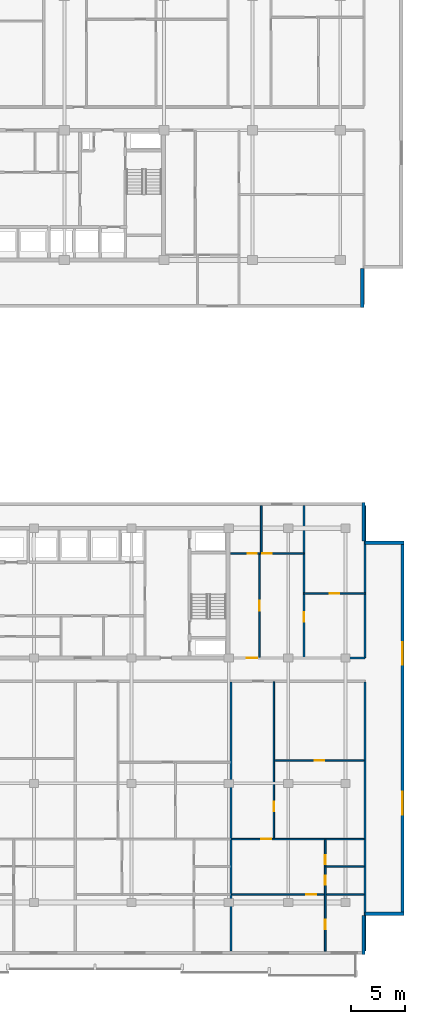
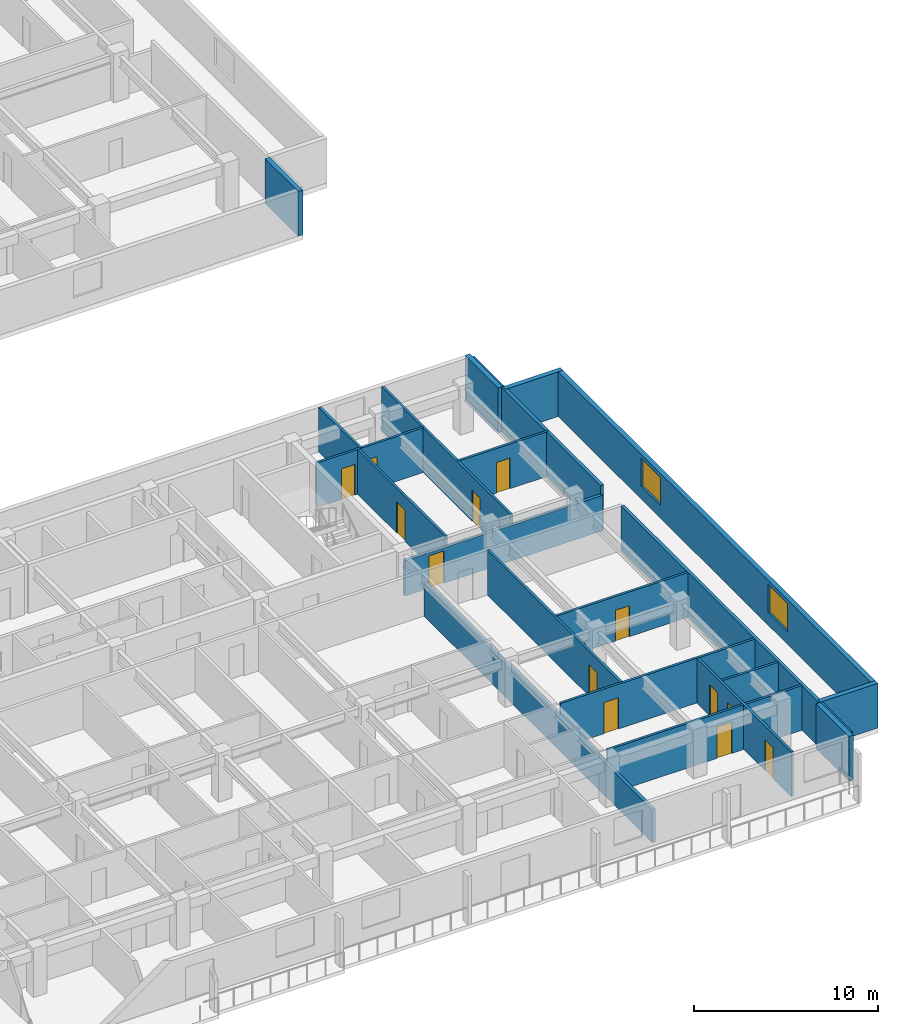
# One storey, part 10 of 22: 21 walls, 13 doors, 2 windows, 15 openings.
"""IFC4 building model written with IfcOpenShell, lengths in metres."""

import ifcopenshell
import ifcopenshell.guid

model = None  # the IFC model being written
_history = None  # IfcOwnerHistory: only IFC2X3 demands one
_inside = {}  # id of a spatial element -> (the spatial element, [elements in it])
_under = {}  # id of a project, library or spatial element -> (it, [spatial elements below it])
_declared = {}  # id of a project -> (the project, [libraries it declares])
_typed = {}  # id of a type object -> (the type object, [elements of that type])
_made_of = {}  # id of a material, layer set ... -> (it, [elements and type objects made of it])


def new_model(schema):
    """Start an empty IFC model of exactly this schema.

    Asked for "IFC4X3", IfcOpenShell would pick the latest addendum, in which some entities
    have other attributes; the version numbers below select the first issue.
    IFC2X3 requires an IfcOwnerHistory on every rooted entity: one is made here for all.
    """
    global model, _history
    if schema == "IFC4X3":
        model = ifcopenshell.file(schema_version=(4, 3, 0, 0))
    else:
        model = ifcopenshell.file(schema=schema)
    _inside.clear()
    _under.clear()
    _declared.clear()
    _typed.clear()
    _made_of.clear()
    _history = None
    if model.schema == "IFC2X3":
        org = make("IfcOrganization", Name="unknown")
        user = make(
            "IfcPersonAndOrganization",
            ThePerson=make("IfcPerson", FamilyName="unknown"),
            TheOrganization=org,
        )
        app = make(
            "IfcApplication",
            ApplicationDeveloper=org,
            Version="unknown",
            ApplicationFullName="unknown",
            ApplicationIdentifier="unknown",
        )
        _history = make(
            "IfcOwnerHistory",
            OwningUser=user,
            OwningApplication=app,
            ChangeAction="ADDED",
            CreationDate=0,
        )
    return model


def make(cls, **values):
    """One entity of the class cls with the attributes given. An attribute that is None is left unset."""
    return model.create_entity(
        cls, **{name: value for name, value in values.items() if value is not None}
    )


def rooted(cls, **values):
    """An entity with a GlobalId (a new one), such as an element, a storey or a relation."""
    return make(cls, GlobalId=ifcopenshell.guid.new(), OwnerHistory=_history, **values)


def si_unit(unit_type, name, prefix=None):
    """IfcSIUnit, for example si_unit("LENGTHUNIT", "METRE", prefix="MILLI")."""
    return make("IfcSIUnit", UnitType=unit_type, Prefix=prefix, Name=name)


def assignment(units):
    """IfcUnitAssignment: the units of a project."""
    return None if units is None else make("IfcUnitAssignment", Units=units)


def point(xyz):
    """IfcCartesianPoint."""
    return None if xyz is None else make("IfcCartesianPoint", Coordinates=xyz)


def direction(xyz):
    """IfcDirection."""
    return None if xyz is None else make("IfcDirection", DirectionRatios=xyz)


def frame(location, z_axis=None, x_axis=None):
    """IfcAxis2Placement3D, a coordinate frame: its origin and axes. An axis left out is left unset."""
    return make(
        "IfcAxis2Placement3D",
        Location=point(location),
        Axis=direction(z_axis),
        RefDirection=direction(x_axis),
    )


def frame_2d(location, x_axis=None):
    """IfcAxis2Placement2D, a coordinate frame in the plane: its origin and x axis."""
    return make(
        "IfcAxis2Placement2D", Location=point(location), RefDirection=direction(x_axis)
    )


def origin():
    """The frame at (0, 0, 0) with its axes left unset."""
    return frame((0.0, 0.0, 0.0))


def place(relative_to, where):
    """IfcLocalPlacement: puts the frame where relative to a parent placement (None: the world)."""
    return make(
        "IfcLocalPlacement", PlacementRelTo=relative_to, RelativePlacement=where
    )


def context(
    kind, dimensions, precision=None, world=None, true_north=None, identifier=None
):
    """IfcGeometricRepresentationContext, for example the 3D "Model" context."""
    return make(
        "IfcGeometricRepresentationContext",
        ContextIdentifier=identifier,
        ContextType=kind,
        CoordinateSpaceDimension=dimensions,
        Precision=precision,
        WorldCoordinateSystem=world,
        TrueNorth=true_north,
    )


def subcontext(parent, identifier, kind, view, scale=None):
    """IfcGeometricRepresentationSubContext, for example "Body" below "Model"."""
    return make(
        "IfcGeometricRepresentationSubContext",
        ContextIdentifier=identifier,
        ContextType=kind,
        ParentContext=parent,
        TargetScale=scale,
        TargetView=view,
    )


def project(units=None, contexts=None):
    """IfcProject with its units and contexts."""
    return rooted(
        "IfcProject",
        Name="project",
        RepresentationContexts=contexts,
        UnitsInContext=assignment(units),
    )


def spatial(cls, under=None, at=None, **own):
    """A site, building, storey or space (cls), placed at a placement, below another one or the project."""
    s = rooted(cls, ObjectPlacement=at, **own)
    if under is not None:
        _under.setdefault(under.id(), (under, []))[1].append(s)
    return s


def profile(cls, at=None, kind="AREA", **sizes):
    """A parametric profile (cls). Its sizes go by their IFC names, for example OverallWidth=200.0."""
    return make(cls, ProfileType=kind, Position=at, **sizes)


def rectangle(**sizes):
    """IfcRectangleProfileDef."""
    return profile("IfcRectangleProfileDef", **sizes)


def extrude(swept, where, along, depth):
    """IfcExtrudedAreaSolid: the profile swept, set in the frame where, extruded along a direction by depth."""
    return make(
        "IfcExtrudedAreaSolid",
        SweptArea=swept,
        Position=where,
        ExtrudedDirection=direction(along),
        Depth=depth,
    )


def shape(context_of_items, identifier, shape_type, items):
    """IfcShapeRepresentation: the items that make up one representation, for example the "Body"."""
    return make(
        "IfcShapeRepresentation",
        ContextOfItems=context_of_items,
        RepresentationIdentifier=identifier,
        RepresentationType=shape_type,
        Items=items,
    )


def material(Name=None, Category=None):
    """IfcMaterial."""
    return make("IfcMaterial", Name=Name, Category=Category)


def layer(
    of_material, thickness, ventilated=None, Name=None, Category=None, Priority=None
):
    """IfcMaterialLayer: one layer of a wall or slab, of a material (None: an air gap)."""
    return make(
        "IfcMaterialLayer",
        Material=of_material,
        LayerThickness=thickness,
        IsVentilated=ventilated,
        Name=Name,
        Category=Category,
        Priority=Priority,
    )


def layer_set(layers, Name=None):
    """IfcMaterialLayerSet."""
    return make("IfcMaterialLayerSet", MaterialLayers=layers, LayerSetName=Name)


def made_of(thing, what):
    """Note that an element or type object is made of a material, layer set ...; save() writes the relation."""
    if what is not None:
        _made_of.setdefault(what.id(), (what, []))[1].append(thing)
    return thing


def type_object(cls, material=None, **own):
    """A type object (cls), such as IfcWallType, which elements share."""
    return made_of(rooted(cls, **own), material)


def element(
    cls,
    number,
    at=None,
    inside=None,
    cuts=None,
    type_object=None,
    material=None,
    context=None,
    identifier="Body",
    shape_type=None,
    held_by="IfcProductDefinitionShape",
    body=None,
    shapes=None,
    **own,
):
    """One element of the class cls, such as IfcWall. Its Tag is "e" and its number.

    at: its placement. inside: the storey or other place that contains it. cuts: it is an
    opening in that element (IfcRelVoidsElement). A single representation is given by context,
    identifier, shape_type and body (its items); several are given by shapes. held_by: the class
    of the entity that holds the representations. save() writes the other relations.
    """
    e = rooted(cls, Tag="e%d" % number, ObjectPlacement=at, **own)
    if body is not None:
        shapes = [shape(context, identifier, shape_type, body)]
    if shapes is not None:
        e.Representation = make(held_by, Representations=shapes)
    if inside is not None:
        _inside.setdefault(inside.id(), (inside, []))[1].append(e)
    if cuts is not None:
        rooted(
            "IfcRelVoidsElement", RelatingBuildingElement=cuts, RelatedOpeningElement=e
        )
    if type_object is not None:
        _typed.setdefault(type_object.id(), (type_object, []))[1].append(e)
    return made_of(e, material)


def fill(opening, filler):
    """IfcRelFillsElement: the door or window that sits in an opening."""
    return rooted(
        "IfcRelFillsElement",
        RelatingOpeningElement=opening,
        RelatedBuildingElement=filler,
    )


def aggregate(whole, parts):
    """IfcRelAggregates: a whole, such as a stair, and the parts it consists of."""
    return rooted("IfcRelAggregates", RelatingObject=whole, RelatedObjects=parts)


def save(model, path):
    """Write the relations noted so far, then the file.

    IfcRelAggregates (storeys below a building ...), IfcRelContainedInSpatialStructure (elements
    in a storey), IfcRelDefinesByType, IfcRelAssociatesMaterial and IfcRelDeclares: one each for
    every whole, place, type object, material and project.
    """
    for whole, parts in _under.values():
        aggregate(whole, parts)
    for where, things in _inside.values():
        rooted(
            "IfcRelContainedInSpatialStructure",
            RelatedElements=things,
            RelatingStructure=where,
        )
    for kind, things in _typed.values():
        rooted("IfcRelDefinesByType", RelatedObjects=things, RelatingType=kind)
    for what, things in _made_of.values():
        rooted("IfcRelAssociatesMaterial", RelatedObjects=things, RelatingMaterial=what)
    for by, libraries in _declared.values():
        rooted("IfcRelDeclares", RelatingContext=by, RelatedDefinitions=libraries)
    model.write(path)


model = new_model("IFC4")

# Units and contexts
model_context = context("Model", 3, precision=1e-05, world=origin(), true_north=direction((0.0, 1.0)))
body_context = subcontext(model_context, "Body", "Model", "MODEL_VIEW")
ifc_project = project(units=[si_unit("LENGTHUNIT", "METRE"), si_unit("AREAUNIT", "SQUARE_METRE"), si_unit("VOLUMEUNIT", "CUBIC_METRE"), si_unit("PLANEANGLEUNIT", "RADIAN"), si_unit("MASSUNIT", "GRAM", prefix="KILO")], contexts=[model_context])

# Site, building, storey
site_placement = place(None, origin())
site = spatial("IfcSite", under=ifc_project, at=site_placement, CompositionType="ELEMENT")
building_placement = place(site_placement, origin())
building = spatial("IfcBuilding", under=site, at=building_placement, Name="Korimba Cascade Residences", CompositionType="ELEMENT")
storey_placement = place(building_placement, frame((0.0, 0.0, 80.800048828125)))
storey = spatial("IfcBuildingStorey", under=building, at=storey_placement, Name="L22", CompositionType="ELEMENT", Elevation=80.800048828125)

# Walls
ifc_material_1 = material(Name="Precast concrete C40/50", Category="concrete")
ifc_layer_1 = layer(ifc_material_1, 0.300048828125)
ifc_layer_set_1 = layer_set([ifc_layer_1], Name="Precast concrete C40/50")
wall_type_1 = type_object("IfcWallType", Name="EW-STONE-300", PredefinedType="STANDARD", material=ifc_layer_set_1)
wall_1_placement = place(storey_placement, frame((130.449951171875, 50.800048828125, 0.0), z_axis=(0.0, 0.0, 1.0), x_axis=(0.0, 1.0, 0.0)))
element("IfcWall", 1, at=wall_1_placement, inside=storey, type_object=wall_type_1, Name="L22 T1 Perimeter Stone Wall E01", PredefinedType="STANDARD", context=body_context, shape_type="SweptSolid", body=[
    extrude(rectangle(XDim=3.599853515625, YDim=0.300048828125, at=frame_2d((1.7998046875, 0.0))), origin(), (0.0, 0.0, 1.0), 2.969970703125),
])
for number, where, z_axis, x_axis, name in (
    (2, (130.550048828125, -9.0, 0.0), (0.0, 0.0, 1.0), (0.0, 1.0, 0.0), "L22 T2 Perimeter Stone Wall E01"),
    (3, (130.699951171875, -5.25, 0.0), (0.0, 0.0, 1.0), (1.0, 0.0, 0.0), "L22 T2 Perimeter Stone Wall E02"),
):
    element("IfcWall", number, at=place(storey_placement, frame(where, z_axis=z_axis, x_axis=x_axis)), inside=storey, type_object=wall_type_1, Name=name, PredefinedType="STANDARD", context=body_context, shape_type="SweptSolid", body=[
        extrude(rectangle(XDim=3.60009765625, YDim=0.300048828125, at=frame_2d((1.800048828125, 0.0))), origin(), (0.0, 0.0, 1.0), 2.969970703125),
    ])

# Wall, openings, windows
wall_2_placement = place(storey_placement, frame((134.14990234375, -5.39990234375, 0.0), z_axis=(0.0, 0.0, 1.0), x_axis=(0.0, 1.0, 0.0)))
wall_2 = element("IfcWall", 4, at=wall_2_placement, inside=storey, type_object=wall_type_1, Name="L22 T2 Perimeter Stone Wall E03", PredefinedType="STANDARD", context=body_context, shape_type="SweptSolid", body=[
    extrude(rectangle(XDim=34.599853515625, YDim=0.300048828125, at=frame_2d((17.2998046875, 0.0))), origin(), (0.0, 0.0, 1.0), 2.969970703125),
])
opening_1_placement = place(wall_2_placement, frame((9.330078125, 0.0, 0.85009765625)))
opening_1 = element("IfcOpeningElement", 5, at=opening_1_placement, cuts=wall_2, Name="Opening W-03", PredefinedType="OPENING", context=body_context, shape_type="SweptSolid", body=[
    extrude(rectangle(XDim=2.10009765625, YDim=1.85009765625, at=frame_2d((1.050048828125, 0.925048828125))), frame((0.0, 0.16015625, 0.0), z_axis=(0.0, -1.0, 0.0), x_axis=(1.0, 0.0, 0.0)), (0.0, 0.0, 1.0), 0.320068359375),
])
opening_2_placement = place(wall_2_placement, frame((23.169921875, 0.0, 0.85009765625)))
opening_2 = element("IfcOpeningElement", 6, at=opening_2_placement, cuts=wall_2, Name="Opening W-03", PredefinedType="OPENING", context=body_context, shape_type="SweptSolid", body=[
    extrude(rectangle(XDim=2.10009765625, YDim=1.85009765625, at=frame_2d((1.050048828125, 0.925048828125))), frame((0.0, 0.16015625, 0.0), z_axis=(0.0, -1.0, 0.0), x_axis=(1.0, 0.0, 0.0)), (0.0, 0.0, 1.0), 0.320068359375),
])
ifc_material_2 = material(Name="Double-Glazed Aluminium Window", Category="aluminium")
window_type = type_object("IfcWindowType", Name="WIN-CRN-2100", PartitioningType="DOUBLE_PANEL_HORIZONTAL", PredefinedType="WINDOW", material=ifc_material_2)
window_1_placement = place(opening_1_placement, origin())
window_1 = element("IfcWindow", 7, at=window_1_placement, inside=storey, type_object=window_type, Name="L22 T2 End View Window 3.1", OverallHeight=1.85009765625, OverallWidth=2.10009765625, PartitioningType="DOUBLE_PANEL_HORIZONTAL", PredefinedType="WINDOW", context=body_context, shape_type="SweptSolid", body=[
    extrude(rectangle(XDim=2.10009765625, YDim=1.85009765625, at=frame_2d((1.050048828125, 0.925048828125))), frame((0.0, 0.030029296875, 0.0), z_axis=(0.0, -1.0, 0.0), x_axis=(1.0, 0.0, 0.0)), (0.0, 0.0, 1.0), 0.06005859375),
])
fill(opening_1, window_1)
window_2_placement = place(opening_2_placement, origin())
window_2 = element("IfcWindow", 8, at=window_2_placement, inside=storey, type_object=window_type, Name="L22 T2 End View Window 3.2", OverallHeight=1.85009765625, OverallWidth=2.10009765625, PartitioningType="DOUBLE_PANEL_HORIZONTAL", PredefinedType="WINDOW", context=body_context, shape_type="SweptSolid", body=[
    extrude(rectangle(XDim=2.10009765625, YDim=1.85009765625, at=frame_2d((1.050048828125, 0.925048828125))), frame((0.0, 0.030029296875, 0.0), z_axis=(0.0, -1.0, 0.0), x_axis=(1.0, 0.0, 0.0)), (0.0, 0.0, 1.0), 0.06005859375),
])
fill(opening_2, window_2)

# Walls
for number, where, z_axis, x_axis, name in (
    (9, (134.300048828125, 29.050048828125, 0.0), (0.0, 0.0, 1.0), (-1.0, 0.0, 0.0), "L22 T2 Perimeter Stone Wall E04"),
    (10, (130.550048828125, 29.199951171875, 0.0), (0.0, 0.0, 1.0), (0.0, 1.0, 0.0), "L22 T2 Perimeter Stone Wall E05"),
):
    element("IfcWall", number, at=place(storey_placement, frame(where, z_axis=z_axis, x_axis=x_axis)), inside=storey, type_object=wall_type_1, Name=name, PredefinedType="STANDARD", context=body_context, shape_type="SweptSolid", body=[
        extrude(rectangle(XDim=3.60009765625, YDim=0.300048828125, at=frame_2d((1.800048828125, 0.0))), origin(), (0.0, 0.0, 1.0), 2.969970703125),
    ])
ifc_layer_2 = layer(ifc_material_1, 0.199951171875)
ifc_layer_set_2 = layer_set([ifc_layer_2], Name="Precast concrete C40/50")
wall_type_2 = type_object("IfcWallType", Name="WAL-IT-200", PredefinedType="PARTITIONING", material=ifc_layer_set_2)
wall_3_placement = place(storey_placement, frame((130.699951171875, 18.39990234375, 0.0), z_axis=(0.0, 0.0, 1.0), x_axis=(0.0, 1.0, 0.0)))
element("IfcWall", 11, at=wall_3_placement, inside=storey, type_object=wall_type_2, Name="L22 Partition Wall WAL-L22-T2-FE-WR", PredefinedType="PARTITIONING", context=body_context, shape_type="SweptSolid", body=[
    extrude(rectangle(XDim=14.10009765625, YDim=0.199951171875, at=frame_2d((7.050048828125, 0.0))), origin(), (0.0, 0.0, 1.0), 2.969970703125),
])

# Wall, opening, door
wall_4_placement = place(storey_placement, frame((118.25, 18.39990234375, 0.0), z_axis=(0.0, 0.0, 1.0), x_axis=(1.0, 0.0, 0.0)))
wall_4 = element("IfcWall", 12, at=wall_4_placement, inside=storey, type_object=wall_type_2, Name="L22 Partition Wall WAL-L22-T2-FE-S", PredefinedType="PARTITIONING", context=body_context, shape_type="SweptSolid", body=[
    extrude(rectangle(XDim=12.449951171875, YDim=0.199951171875, at=frame_2d((6.22509765625, 0.0))), origin(), (0.0, 0.0, 1.0), 2.357666015625),
])
opening_3_placement = place(wall_4_placement, frame((1.510009765625, 0.0, 0.0)))
opening_3 = element("IfcOpeningElement", 13, at=opening_3_placement, cuts=wall_4, Name="Opening D-UN1", PredefinedType="OPENING", context=body_context, shape_type="SweptSolid", body=[
    extrude(rectangle(XDim=0.949951171875, YDim=2.14990234375, at=frame_2d((0.47509765625, 1.074951171875))), frame((0.0, 0.10986328125, 0.0), z_axis=(0.0, -1.0, 0.0), x_axis=(1.0, 0.0, 0.0)), (0.0, 0.0, 1.0), 0.219970703125),
])
ifc_material_3 = material(Name="Fire-Rated Hardwood Apartment Entrance Door", Category="wood")
door_type_1 = type_object("IfcDoorType", Name="DR-FD60-950", OperationType="NOTDEFINED", PredefinedType="DOOR", material=ifc_material_3)
door_1_placement = place(opening_3_placement, origin())
door_1 = element("IfcDoor", 14, at=door_1_placement, inside=storey, type_object=door_type_1, Name="L22-T2-FE Entrance Door", OperationType="SINGLE_SWING_LEFT", OverallHeight=2.14990234375, OverallWidth=0.949951171875, PredefinedType="DOOR", context=body_context, shape_type="SweptSolid", body=[
    extrude(rectangle(XDim=0.949951171875, YDim=2.14990234375, at=frame_2d((0.47509765625, 1.074951171875))), frame((0.0, 0.02490234375, 0.0), z_axis=(0.0, -1.0, 0.0), x_axis=(1.0, 0.0, 0.0)), (0.0, 0.0, 1.0), 0.050048828125),
])
fill(opening_3, door_1)

# Walls
wall_5_placement = place(storey_placement, frame((130.699951171875, -8.699951171875, 0.0), z_axis=(0.0, 0.0, 1.0), x_axis=(0.0, 1.0, 0.0)))
element("IfcWall", 15, at=wall_5_placement, inside=storey, type_object=wall_type_2, Name="L22 Partition Wall WAL-L22-T2-BNDWR", PredefinedType="PARTITIONING", context=body_context, shape_type="SweptSolid", body=[
    extrude(rectangle(XDim=24.869873046875, YDim=0.199951171875, at=frame_2d((12.43505859375, 0.0))), origin(), (0.0, 0.0, 1.0), 2.969970703125),
])
wall_6_placement = place(storey_placement, frame((118.300048828125, -8.699951171875, 0.0), z_axis=(0.0, 0.0, 1.0), x_axis=(0.0, 1.0, 0.0)))
element("IfcWall", 16, at=wall_6_placement, inside=storey, type_object=wall_type_2, Name="L22 Partition Wall WAL-L22-T2-DEM-3", PredefinedType="PARTITIONING", context=body_context, shape_type="SweptSolid", body=[
    extrude(rectangle(XDim=24.869873046875, YDim=0.199951171875, at=frame_2d((12.43505859375, 0.0))), origin(), (0.0, 0.0, 1.0), 2.2001953125),
])

# Wall, opening, door
ifc_material_4 = material(Name="Insulated Acoustic Stud Partition", Category="gypsum")
ifc_layer_3 = layer(ifc_material_4, 0.14990234375)
ifc_layer_set_3 = layer_set([ifc_layer_3], Name="Insulated Acoustic Stud Partition")
wall_type_3 = type_object("IfcWallType", Name="WAL-PART-150", PredefinedType="PARTITIONING", material=ifc_layer_set_3)
wall_7_placement = place(storey_placement, frame((125.050048828125, 24.35009765625, 0.0), z_axis=(0.0, 0.0, 1.0), x_axis=(1.0, 0.0, 0.0)))
wall_7 = element("IfcWall", 17, at=wall_7_placement, inside=storey, type_object=wall_type_3, Name="L22 Partition Wall WAL-L22-T2-FE-STH", PredefinedType="PARTITIONING", context=body_context, shape_type="SweptSolid", body=[
    extrude(rectangle(XDim=5.64990234375, YDim=0.14990234375, at=frame_2d((2.824951171875, 0.0))), origin(), (0.0, 0.0, 1.0), 2.969970703125),
])
opening_4_placement = place(wall_7_placement, frame((2.405029296875, 0.0, 0.0)))
opening_4 = element("IfcOpeningElement", 18, at=opening_4_placement, cuts=wall_7, Name="Opening D-BT1", PredefinedType="OPENING", context=body_context, shape_type="SweptSolid", body=[
    extrude(rectangle(XDim=0.840087890625, YDim=2.0400390625, at=frame_2d((0.419921875, 1.02001953125))), frame((0.0, 0.0849609375, 0.0), z_axis=(0.0, -1.0, 0.0), x_axis=(1.0, 0.0, 0.0)), (0.0, 0.0, 1.0), 0.169921875),
])
ifc_material_5 = material(Name="Moisture-Resistant Bathroom Timber Door", Category="wood")
door_type_2 = type_object("IfcDoorType", Name="DR-INT-850", OperationType="NOTDEFINED", PredefinedType="DOOR", material=ifc_material_5)
door_2_placement = place(opening_4_placement, origin())
door_2 = element("IfcDoor", 19, at=door_2_placement, inside=storey, type_object=door_type_2, Name="L22-T2-FE Dressing Store Door", OperationType="SINGLE_SWING_RIGHT", OverallHeight=2.0400390625, OverallWidth=0.840087890625, PredefinedType="DOOR", context=body_context, shape_type="SweptSolid", body=[
    extrude(rectangle(XDim=0.840087890625, YDim=2.0400390625, at=frame_2d((0.419921875, 1.02001953125))), frame((0.0, 0.02490234375, 0.0), z_axis=(0.0, -1.0, 0.0), x_axis=(1.0, 0.0, 0.0)), (0.0, 0.0, 1.0), 0.050048828125),
])
fill(opening_4, door_2)

wall_8_placement = place(storey_placement, frame((125.050048828125, 18.449951171875, 0.0), z_axis=(0.0, 0.0, 1.0), x_axis=(0.0, 1.0, 0.0)))
wall_8 = element("IfcWall", 20, at=wall_8_placement, inside=storey, type_object=wall_type_3, Name="L22 Partition Wall WAL-L22-T2-FE-STV", PredefinedType="PARTITIONING", context=body_context, shape_type="SweptSolid", body=[
    extrude(rectangle(XDim=14.050048828125, YDim=0.14990234375, at=frame_2d((7.02490234375, 0.0))), origin(), (0.0, 0.0, 1.0), 2.969970703125),
])
opening_5_placement = place(wall_8_placement, frame((3.320068359375, 0.0, 0.0)))
opening_5 = element("IfcOpeningElement", 21, at=opening_5_placement, cuts=wall_8, Name="Opening D-IN2", PredefinedType="OPENING", context=body_context, shape_type="SweptSolid", body=[
    extrude(rectangle(XDim=0.8798828125, YDim=2.06005859375, at=frame_2d((0.43994140625, 1.030029296875))), frame((0.0, 0.0849609375, 0.0), z_axis=(0.0, -1.0, 0.0), x_axis=(1.0, 0.0, 0.0)), (0.0, 0.0, 1.0), 0.169921875),
])
ifc_material_6 = material(Name="Acoustic Timber Bedroom Door", Category="wood")
door_type_3 = type_object("IfcDoorType", Name="DR-INT-880", OperationType="NOTDEFINED", PredefinedType="DOOR", material=ifc_material_6)
door_3_placement = place(opening_5_placement, origin())
door_3 = element("IfcDoor", 22, at=door_3_placement, inside=storey, type_object=door_type_3, Name="L22-T2-FE Study Door", OperationType="SINGLE_SWING_LEFT", OverallHeight=2.06005859375, OverallWidth=0.8798828125, PredefinedType="DOOR", context=body_context, shape_type="SweptSolid", body=[
    extrude(rectangle(XDim=0.8798828125, YDim=2.06005859375, at=frame_2d((0.43994140625, 1.030029296875))), frame((0.0, 0.02490234375, 0.0), z_axis=(0.0, -1.0, 0.0), x_axis=(1.0, 0.0, 0.0)), (0.0, 0.0, 1.0), 0.050048828125),
])
fill(opening_5, door_3)

wall_9_placement = place(storey_placement, frame((120.929931640625, 18.449951171875, 0.0), z_axis=(0.0, 0.0, 1.0), x_axis=(0.0, 1.0, 0.0)))
wall_9 = element("IfcWall", 23, at=wall_9_placement, inside=storey, type_object=wall_type_3, Name="L22 Partition Wall WAL-L22-T2-FE-VS", PredefinedType="PARTITIONING", context=body_context, shape_type="SweptSolid", body=[
    extrude(rectangle(XDim=9.60009765625, YDim=0.14990234375, at=frame_2d((4.800048828125, 0.0))), origin(), (0.0, 0.0, 1.0), 2.969970703125),
])
opening_6_placement = place(wall_9_placement, frame((4.340087890625, 0.0, 0.0)))
opening_6 = element("IfcOpeningElement", 24, at=opening_6_placement, cuts=wall_9, Name="Opening D-IN1", PredefinedType="OPENING", context=body_context, shape_type="SweptSolid", body=[
    extrude(rectangle(XDim=0.919921875, YDim=2.080078125, at=frame_2d((0.4599609375, 1.0400390625))), frame((0.0, 0.0849609375, 0.0), z_axis=(0.0, -1.0, 0.0), x_axis=(1.0, 0.0, 0.0)), (0.0, 0.0, 1.0), 0.169921875),
])
ifc_material_7 = material(Name="Acoustic Timber Living Door", Category="wood")
door_type_4 = type_object("IfcDoorType", Name="DR-INT-920", OperationType="NOTDEFINED", PredefinedType="DOOR", material=ifc_material_7)
door_4_placement = place(opening_6_placement, origin())
door_4 = element("IfcDoor", 25, at=door_4_placement, inside=storey, type_object=door_type_4, Name="L22-T2-FE Living Door", OperationType="SINGLE_SWING_RIGHT", OverallHeight=2.080078125, OverallWidth=0.919921875, PredefinedType="DOOR", context=body_context, shape_type="SweptSolid", body=[
    extrude(rectangle(XDim=0.919921875, YDim=2.080078125, at=frame_2d((0.4599609375, 1.0400390625))), frame((0.0, 0.02490234375, 0.0), z_axis=(0.0, -1.0, 0.0), x_axis=(1.0, 0.0, 0.0)), (0.0, 0.0, 1.0), 0.050048828125),
])
fill(opening_6, door_4)

# Wall
wall_10_placement = place(storey_placement, frame((121.10009765625, 28.050048828125, 0.0), z_axis=(0.0, 0.0, 1.0), x_axis=(0.0, 1.0, 0.0)))
element("IfcWall", 26, at=wall_10_placement, inside=storey, type_object=wall_type_3, Name="L22 Partition Wall WAL-L22-T2-FE-VN", PredefinedType="PARTITIONING", context=body_context, shape_type="SweptSolid", body=[
    extrude(rectangle(XDim=4.449951171875, YDim=0.14990234375, at=frame_2d((2.22509765625, 0.0))), origin(), (0.0, 0.0, 1.0), 2.969970703125),
])

# Wall, openings, doors
wall_11_placement = place(storey_placement, frame((118.27001953125, 28.050048828125, 0.0), z_axis=(0.0, 0.0, 1.0), x_axis=(1.0, 0.0, 0.0)))
wall_11 = element("IfcWall", 27, at=wall_11_placement, inside=storey, type_object=wall_type_3, Name="L22 Partition Wall WAL-L22-T2-FE-H", PredefinedType="PARTITIONING", context=body_context, shape_type="SweptSolid", body=[
    extrude(rectangle(XDim=6.760009765625, YDim=0.14990234375, at=frame_2d((3.3798828125, 0.0))), origin(), (0.0, 0.0, 1.0), 2.969970703125),
])
opening_7_placement = place(wall_11_placement, frame((1.58740234375, 0.0, 0.0)))
opening_7 = element("IfcOpeningElement", 28, at=opening_7_placement, cuts=wall_11, Name="Opening D-BT1", PredefinedType="OPENING", context=body_context, shape_type="SweptSolid", body=[
    extrude(rectangle(XDim=0.840087890625, YDim=2.0400390625, at=frame_2d((0.419921875, 1.02001953125))), frame((0.0, 0.0849609375, 0.0), z_axis=(0.0, -1.0, 0.0), x_axis=(1.0, 0.0, 0.0)), (0.0, 0.0, 1.0), 0.169921875),
])
opening_8_placement = place(wall_11_placement, frame((2.93994140625, 0.0, 0.0)))
opening_8 = element("IfcOpeningElement", 29, at=opening_8_placement, cuts=wall_11, Name="Opening D-IN2", PredefinedType="OPENING", context=body_context, shape_type="SweptSolid", body=[
    extrude(rectangle(XDim=0.8798828125, YDim=2.06005859375, at=frame_2d((0.43994140625, 1.030029296875))), frame((0.0, 0.0849609375, 0.0), z_axis=(0.0, -1.0, 0.0), x_axis=(1.0, 0.0, 0.0)), (0.0, 0.0, 1.0), 0.169921875),
])
door_5_placement = place(opening_7_placement, origin())
door_5 = element("IfcDoor", 30, at=door_5_placement, inside=storey, type_object=door_type_2, Name="L22-T2-FE Bathroom Door", OperationType="SINGLE_SWING_LEFT", OverallHeight=2.0400390625, OverallWidth=0.840087890625, PredefinedType="DOOR", context=body_context, shape_type="SweptSolid", body=[
    extrude(rectangle(XDim=0.840087890625, YDim=2.0400390625, at=frame_2d((0.419921875, 1.02001953125))), frame((0.0, 0.02490234375, 0.0), z_axis=(0.0, -1.0, 0.0), x_axis=(1.0, 0.0, 0.0)), (0.0, 0.0, 1.0), 0.050048828125),
])
fill(opening_7, door_5)
door_6_placement = place(opening_8_placement, origin())
door_6 = element("IfcDoor", 31, at=door_6_placement, inside=storey, type_object=door_type_3, Name="L22-T2-FE Bedroom Door", OperationType="SINGLE_SWING_RIGHT", OverallHeight=2.06005859375, OverallWidth=0.8798828125, PredefinedType="DOOR", context=body_context, shape_type="SweptSolid", body=[
    extrude(rectangle(XDim=0.8798828125, YDim=2.06005859375, at=frame_2d((0.43994140625, 1.030029296875))), frame((0.0, 0.02490234375, 0.0), z_axis=(0.0, -1.0, 0.0), x_axis=(1.0, 0.0, 0.0)), (0.0, 0.0, 1.0), 0.050048828125),
])
fill(opening_8, door_6)

# Wall, opening, door
wall_12_placement = place(storey_placement, frame((122.330078125, 8.93994140625, 0.0), z_axis=(0.0, 0.0, 1.0), x_axis=(1.0, 0.0, 0.0)))
wall_12 = element("IfcWall", 32, at=wall_12_placement, inside=storey, type_object=wall_type_3, Name="L22 Partition Wall WAL-L22-T2-U04-FMH", PredefinedType="PARTITIONING", context=body_context, shape_type="SweptSolid", body=[
    extrude(rectangle(XDim=8.2900390625, YDim=0.14990234375, at=frame_2d((4.14501953125, 0.0))), origin(), (0.0, 0.0, 1.0), 2.969970703125),
])
opening_9_placement = place(wall_12_placement, frame((3.705078125, 0.0, 0.0)))
opening_9 = element("IfcOpeningElement", 33, at=opening_9_placement, cuts=wall_12, Name="Opening D-IN2", PredefinedType="OPENING", context=body_context, shape_type="SweptSolid", body=[
    extrude(rectangle(XDim=0.8798828125, YDim=2.06005859375, at=frame_2d((0.43994140625, 1.030029296875))), frame((0.0, 0.0849609375, 0.0), z_axis=(0.0, -1.0, 0.0), x_axis=(1.0, 0.0, 0.0)), (0.0, 0.0, 1.0), 0.169921875),
])
door_7_placement = place(opening_9_placement, origin())
door_7 = element("IfcDoor", 34, at=door_7_placement, inside=storey, type_object=door_type_3, Name="L22-T2-U04 Library Salon Door", OperationType="SINGLE_SWING_RIGHT", OverallHeight=2.06005859375, OverallWidth=0.8798828125, PredefinedType="DOOR", context=body_context, shape_type="SweptSolid", body=[
    extrude(rectangle(XDim=0.8798828125, YDim=2.06005859375, at=frame_2d((0.43994140625, 1.030029296875))), frame((0.0, 0.02490234375, 0.0), z_axis=(0.0, -1.0, 0.0), x_axis=(1.0, 0.0, 0.0)), (0.0, 0.0, 1.0), 0.050048828125),
])
fill(opening_9, door_7)

wall_13_placement = place(storey_placement, frame((122.27001953125, 1.68994140625, 0.0), z_axis=(0.0, 0.0, 1.0), x_axis=(0.0, 1.0, 0.0)))
wall_13 = element("IfcWall", 35, at=wall_13_placement, inside=storey, type_object=wall_type_3, Name="L22 Partition Wall WAL-L22-T2-U04-FV", PredefinedType="PARTITIONING", context=body_context, shape_type="SweptSolid", body=[
    extrude(rectangle(XDim=14.5, YDim=0.14990234375, at=frame_2d((7.25, 0.0))), origin(), (0.0, 0.0, 1.0), 2.969970703125),
])
opening_10_placement = place(wall_13_placement, frame((2.54248046875, 0.0, 0.0)))
opening_10 = element("IfcOpeningElement", 36, at=opening_10_placement, cuts=wall_13, Name="Opening D-IN2", PredefinedType="OPENING", context=body_context, shape_type="SweptSolid", body=[
    extrude(rectangle(XDim=0.8798828125, YDim=2.06005859375, at=frame_2d((0.43994140625, 1.030029296875))), frame((0.0, 0.0849609375, 0.0), z_axis=(0.0, -1.0, 0.0), x_axis=(1.0, 0.0, 0.0)), (0.0, 0.0, 1.0), 0.169921875),
])
door_8_placement = place(opening_10_placement, origin())
door_8 = element("IfcDoor", 37, at=door_8_placement, inside=storey, type_object=door_type_3, Name="L22-T2-U04 Media Lounge Door", OperationType="SINGLE_SWING_LEFT", OverallHeight=2.06005859375, OverallWidth=0.8798828125, PredefinedType="DOOR", context=body_context, shape_type="SweptSolid", body=[
    extrude(rectangle(XDim=0.8798828125, YDim=2.06005859375, at=frame_2d((0.43994140625, 1.030029296875))), frame((0.0, 0.02490234375, 0.0), z_axis=(0.0, -1.0, 0.0), x_axis=(1.0, 0.0, 0.0)), (0.0, 0.0, 1.0), 0.050048828125),
])
fill(opening_10, door_8)

# Wall
wall_14_placement = place(storey_placement, frame((127.080078125, -0.889892578125, 0.0), z_axis=(0.0, 0.0, 1.0), x_axis=(1.0, 0.0, 0.0)))
element("IfcWall", 38, at=wall_14_placement, inside=storey, type_object=wall_type_3, Name="L22 Partition Wall WAL-L22-T2-U04-BLDIV", PredefinedType="PARTITIONING", context=body_context, shape_type="SweptSolid", body=[
    extrude(rectangle(XDim=3.5400390625, YDim=0.14990234375, at=frame_2d((1.77001953125, 0.0))), origin(), (0.0, 0.0, 1.0), 2.969970703125),
])

# Wall, openings, doors
wall_15_placement = place(storey_placement, frame((127.02001953125, -8.699951171875, 0.0), z_axis=(0.0, 0.0, 1.0), x_axis=(0.0, 1.0, 0.0)))
wall_15 = element("IfcWall", 39, at=wall_15_placement, inside=storey, type_object=wall_type_3, Name="L22 Partition Wall WAL-L22-T2-U04-V1", PredefinedType="PARTITIONING", context=body_context, shape_type="SweptSolid", body=[
    extrude(rectangle(XDim=10.31005859375, YDim=0.14990234375, at=frame_2d((5.155029296875, 0.0))), origin(), (0.0, 0.0, 1.0), 2.969970703125),
])
opening_11_placement = place(wall_15_placement, frame((6.120361328125, 0.0, 0.0)))
opening_11 = element("IfcOpeningElement", 40, at=opening_11_placement, cuts=wall_15, Name="Opening D-BT1", PredefinedType="OPENING", context=body_context, shape_type="SweptSolid", body=[
    extrude(rectangle(XDim=0.840087890625, YDim=2.0400390625, at=frame_2d((0.419921875, 1.02001953125))), frame((0.0, 0.0849609375, 0.0), z_axis=(0.0, -1.0, 0.0), x_axis=(1.0, 0.0, 0.0)), (0.0, 0.0, 1.0), 0.169921875),
])
opening_12_placement = place(wall_15_placement, frame((8.03955078125, 0.0, 0.0)))
opening_12 = element("IfcOpeningElement", 41, at=opening_12_placement, cuts=wall_15, Name="Opening D-BT1", PredefinedType="OPENING", context=body_context, shape_type="SweptSolid", body=[
    extrude(rectangle(XDim=0.840087890625, YDim=2.0400390625, at=frame_2d((0.419921875, 1.02001953125))), frame((0.0, 0.0849609375, 0.0), z_axis=(0.0, -1.0, 0.0), x_axis=(1.0, 0.0, 0.0)), (0.0, 0.0, 1.0), 0.169921875),
])
opening_13_placement = place(wall_15_placement, frame((2.001220703125, 0.0, 0.0)))
opening_13 = element("IfcOpeningElement", 42, at=opening_13_placement, cuts=wall_15, Name="Opening D-IN2", PredefinedType="OPENING", context=body_context, shape_type="SweptSolid", body=[
    extrude(rectangle(XDim=0.8798828125, YDim=2.06005859375, at=frame_2d((0.43994140625, 1.030029296875))), frame((0.0, 0.0849609375, 0.0), z_axis=(0.0, -1.0, 0.0), x_axis=(1.0, 0.0, 0.0)), (0.0, 0.0, 1.0), 0.169921875),
])
door_9_placement = place(opening_11_placement, origin())
door_9 = element("IfcDoor", 43, at=door_9_placement, inside=storey, type_object=door_type_2, Name="L22-T2-U04 Bathroom Door", OperationType="SINGLE_SWING_RIGHT", OverallHeight=2.0400390625, OverallWidth=0.840087890625, PredefinedType="DOOR", context=body_context, shape_type="SweptSolid", body=[
    extrude(rectangle(XDim=0.840087890625, YDim=2.0400390625, at=frame_2d((0.419921875, 1.02001953125))), frame((0.0, 0.02490234375, 0.0), z_axis=(0.0, -1.0, 0.0), x_axis=(1.0, 0.0, 0.0)), (0.0, 0.0, 1.0), 0.050048828125),
])
fill(opening_11, door_9)
door_10_placement = place(opening_12_placement, origin())
door_10 = element("IfcDoor", 44, at=door_10_placement, inside=storey, type_object=door_type_2, Name="L22-T2-U04 Laundry Door", OperationType="SINGLE_SWING_LEFT", OverallHeight=2.0400390625, OverallWidth=0.840087890625, PredefinedType="DOOR", context=body_context, shape_type="SweptSolid", body=[
    extrude(rectangle(XDim=0.840087890625, YDim=2.0400390625, at=frame_2d((0.419921875, 1.02001953125))), frame((0.0, 0.02490234375, 0.0), z_axis=(0.0, -1.0, 0.0), x_axis=(1.0, 0.0, 0.0)), (0.0, 0.0, 1.0), 0.050048828125),
])
fill(opening_12, door_10)
door_11_placement = place(opening_13_placement, origin())
door_11 = element("IfcDoor", 45, at=door_11_placement, inside=storey, type_object=door_type_3, Name="L22-T2-U04 Bedroom 1 Door", OperationType="SINGLE_SWING_RIGHT", OverallHeight=2.06005859375, OverallWidth=0.8798828125, PredefinedType="DOOR", context=body_context, shape_type="SweptSolid", body=[
    extrude(rectangle(XDim=0.8798828125, YDim=2.06005859375, at=frame_2d((0.43994140625, 1.030029296875))), frame((0.0, 0.02490234375, 0.0), z_axis=(0.0, -1.0, 0.0), x_axis=(1.0, 0.0, 0.0)), (0.0, 0.0, 1.0), 0.050048828125),
])
fill(opening_13, door_11)

# Wall, opening, door
wall_16_placement = place(storey_placement, frame((118.3798828125, 1.64990234375, 0.0), z_axis=(0.0, 0.0, 1.0), x_axis=(1.0, 0.0, 0.0)))
wall_16 = element("IfcWall", 46, at=wall_16_placement, inside=storey, type_object=wall_type_3, Name="L22 Partition Wall WAL-L22-T2-U04-MW", PredefinedType="PARTITIONING", context=body_context, shape_type="SweptSolid", body=[
    extrude(rectangle(XDim=12.240234375, YDim=0.14990234375, at=frame_2d((6.1201171875, 0.0))), origin(), (0.0, 0.0, 1.0), 2.969970703125),
])
opening_14_placement = place(wall_16_placement, frame((2.719970703125, 0.0, 0.0)))
opening_14 = element("IfcOpeningElement", 47, at=opening_14_placement, cuts=wall_16, Name="Opening D-IN1", PredefinedType="OPENING", context=body_context, shape_type="SweptSolid", body=[
    extrude(rectangle(XDim=0.919921875, YDim=2.080078125, at=frame_2d((0.4599609375, 1.0400390625))), frame((0.0, 0.0849609375, 0.0), z_axis=(0.0, -1.0, 0.0), x_axis=(1.0, 0.0, 0.0)), (0.0, 0.0, 1.0), 0.169921875),
])
door_12_placement = place(opening_14_placement, origin())
door_12 = element("IfcDoor", 48, at=door_12_placement, inside=storey, type_object=door_type_4, Name="L22-T2-U04 Kitchen Archway Door", OperationType="SINGLE_SWING_LEFT", OverallHeight=2.080078125, OverallWidth=0.919921875, PredefinedType="DOOR", context=body_context, shape_type="SweptSolid", body=[
    extrude(rectangle(XDim=0.919921875, YDim=2.080078125, at=frame_2d((0.4599609375, 1.0400390625))), frame((0.0, 0.02490234375, 0.0), z_axis=(0.0, -1.0, 0.0), x_axis=(1.0, 0.0, 0.0)), (0.0, 0.0, 1.0), 0.050048828125),
])
fill(opening_14, door_12)

wall_17_placement = place(storey_placement, frame((118.3798828125, -3.449951171875, 0.0), z_axis=(0.0, 0.0, 1.0), x_axis=(1.0, 0.0, 0.0)))
wall_17 = element("IfcWall", 49, at=wall_17_placement, inside=storey, type_object=wall_type_3, Name="L22 Partition Wall WAL-L22-T2-U04-HZ", PredefinedType="PARTITIONING", context=body_context, shape_type="SweptSolid", body=[
    extrude(rectangle(XDim=12.240234375, YDim=0.14990234375, at=frame_2d((6.1201171875, 0.0))), origin(), (0.0, 0.0, 1.0), 2.969970703125),
])
opening_15_placement = place(wall_17_placement, frame((6.8740234375, 0.0, 0.0)))
opening_15 = element("IfcOpeningElement", 50, at=opening_15_placement, cuts=wall_17, Name="Opening D-IN0", PredefinedType="OPENING", context=body_context, shape_type="SweptSolid", body=[
    extrude(rectangle(XDim=0.93994140625, YDim=2.10009765625, at=frame_2d((0.469970703125, 1.050048828125))), frame((0.0, 0.0849609375, 0.0), z_axis=(0.0, -1.0, 0.0), x_axis=(1.0, 0.0, 0.0)), (0.0, 0.0, 1.0), 0.169921875),
])
ifc_material_8 = material(Name="Acoustic Timber Living Archway Door", Category="wood")
door_type_5 = type_object("IfcDoorType", Name="DR-INT-950", OperationType="NOTDEFINED", PredefinedType="DOOR", material=ifc_material_8)
door_13_placement = place(opening_15_placement, origin())
door_13 = element("IfcDoor", 51, at=door_13_placement, inside=storey, type_object=door_type_5, Name="L22-T2-U04 Living Archway Door", OperationType="SINGLE_SWING_RIGHT", OverallHeight=2.10009765625, OverallWidth=0.93994140625, PredefinedType="DOOR", context=body_context, shape_type="SweptSolid", body=[
    extrude(rectangle(XDim=0.93994140625, YDim=2.10009765625, at=frame_2d((0.469970703125, 1.050048828125))), frame((0.0, 0.02490234375, 0.0), z_axis=(0.0, -1.0, 0.0), x_axis=(1.0, 0.0, 0.0)), (0.0, 0.0, 1.0), 0.050048828125),
])
fill(opening_15, door_13)

save(model, "model.ifc")
